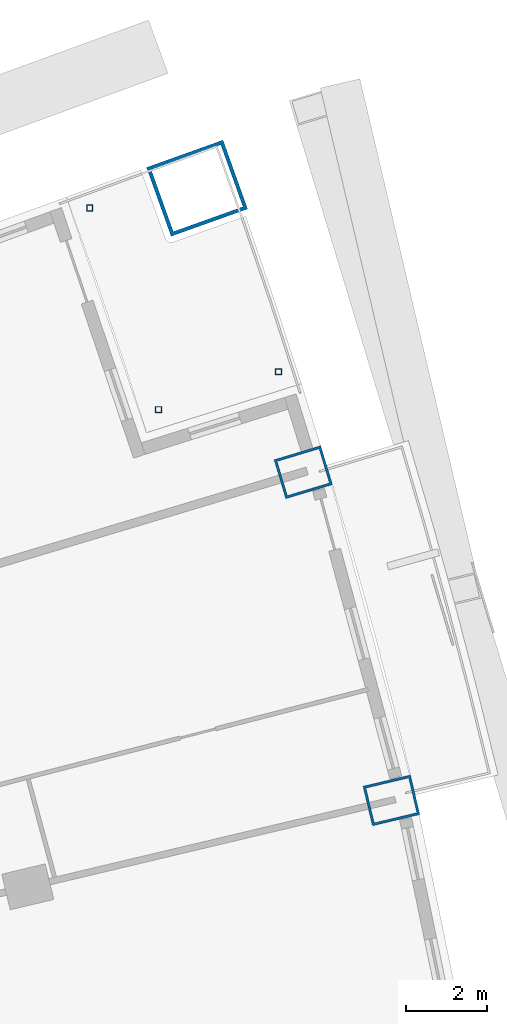
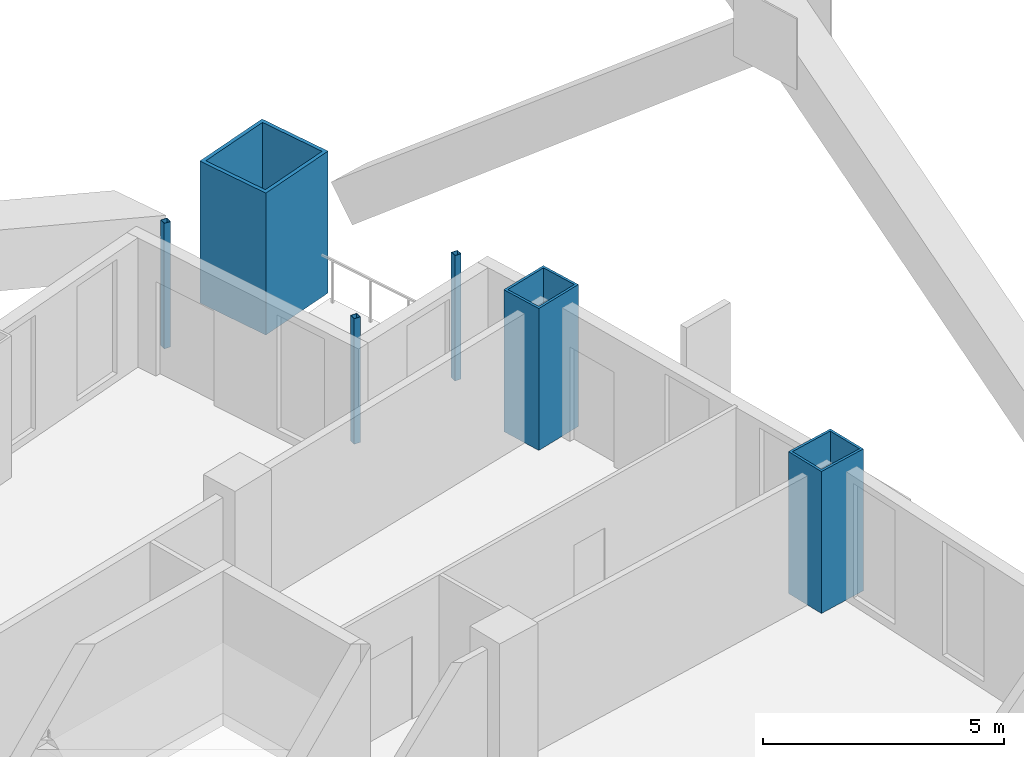
# One storey, part 11 of 25: 6 columns.
"""IFC4 building model written with IfcOpenShell, lengths in metres."""

from ifc_helpers import new_model, si_unit, direction, frame, origin, origin_2d, place, context, subcontext, project, spatial, hollow_rectangle, extrude, material, material_profile, profile_set, type_object, element, save


model = new_model("IFC4")

# Units and contexts
model_context = context("Model", 3, precision=1e-05, world=origin(), true_north=direction((0.0, 1.0)))
body_context = subcontext(model_context, "Body", "Model", "MODEL_VIEW")
ifc_project = project(units=[si_unit("LENGTHUNIT", "METRE"), si_unit("AREAUNIT", "SQUARE_METRE"), si_unit("VOLUMEUNIT", "CUBIC_METRE"), si_unit("PLANEANGLEUNIT", "RADIAN"), si_unit("MASSUNIT", "GRAM", prefix="KILO")], contexts=[model_context])

# Site, building, storey
site_placement = place(None, origin())
site = spatial("IfcSite", under=ifc_project, at=site_placement, CompositionType="ELEMENT")
building_placement = place(site_placement, origin())
building = spatial("IfcBuilding", under=site, at=building_placement, Name="Alderwake Tower", CompositionType="ELEMENT")
storey_placement = place(building_placement, frame((0.0, 0.0, 32.0)))
storey = spatial("IfcBuildingStorey", under=building, at=storey_placement, Name="L06", CompositionType="ELEMENT", Elevation=32.0)

# Columns
ifc_material_1 = material(Name="Steel ASTM A500 Grade C", Category="steel")
ifc_material_profile_1 = material_profile(ifc_material_1, hollow_rectangle(XDim=0.15234375, YDim=0.15234375, WallThickness=0.0087890625, at=origin_2d()), Name="HSS6X6X3/8")
ifc_profile_set_1 = profile_set([ifc_material_profile_1], Name="Steel ASTM A500 Grade C")
column_type_1 = type_object("IfcColumnType", Name="Light post HSS6X6X3/8", PredefinedType="COLUMN", material=ifc_profile_set_1)
for number, where, z_axis, x_axis, name in (
    (1, (56.734375, 104.70703125, 0.0), (0.0, 0.0, 1.0), (1.0, 0.0, 0.0), "Terrace post FN1"),
    (2, (52.08837890625, 108.737060546875, 0.0), (0.0, 0.0, 1.0), (1.0, 0.0, 0.0), "Terrace post FN2"),
    (3, (53.778564453125, 103.7724609375, 0.0), (0.0, 0.0, 1.0), (1.0, 0.0, 0.0), "Terrace post FN3"),
):
    element("IfcColumn", number, at=place(storey_placement, frame(where, z_axis=z_axis, x_axis=x_axis)), inside=storey, type_object=column_type_1, Name=name, PredefinedType="COLUMN", context=body_context, shape_type="SweptSolid", body=[
        extrude(hollow_rectangle(XDim=0.15234375, YDim=0.15234375, WallThickness=0.0087890625, at=origin_2d()), origin(), (0.0, 0.0, 1.0), 3.179931640625),
    ])
ifc_material_2 = material(Name="Steel ASTM A572 Grade 50 concrete filled C70/85", Category="concrete")
ifc_material_profile_2 = material_profile(ifc_material_2, hollow_rectangle(XDim=1.800048828125, YDim=2.0, WallThickness=0.090087890625, at=origin_2d()), Name="BOX 2000X1800X90")
ifc_profile_set_2 = profile_set([ifc_material_profile_2], Name="Steel ASTM A572 Grade 50 concrete filled C70/85")
column_type_2 = type_object("IfcColumnType", Name="Mega column Z1", PredefinedType="COLUMN", material=ifc_profile_set_2)
column_placement = place(storey_placement, frame((54.7294921875, 109.22412109375, 0.0), z_axis=(0.0, 0.0, 1.0), x_axis=(-0.336995022772, 0.941506428351, 0.0)))
element("IfcColumn", 4, at=column_placement, inside=storey, type_object=column_type_2, Name="Column R13-C5", PredefinedType="COLUMN", context=body_context, shape_type="SweptSolid", body=[
    extrude(hollow_rectangle(XDim=1.800048828125, YDim=2.0, WallThickness=0.090087890625, at=origin_2d()), origin(), (0.0, 0.0, 1.0), 3.60009765625),
])
ifc_material_3 = material(Name="Steel ASTM A572 Grade 50 concrete filled C70/85", Category="concrete")
ifc_material_profile_3 = material_profile(ifc_material_3, hollow_rectangle(XDim=1.0, YDim=1.199951171875, WallThickness=0.06005859375, at=origin_2d()), Name="BOX 1200X1000X60")
ifc_profile_set_3 = profile_set([ifc_material_profile_3], Name="Steel ASTM A572 Grade 50 concrete filled C70/85")
column_type_3 = type_object("IfcColumnType", Name="Perimeter column Z1", PredefinedType="COLUMN", material=ifc_profile_set_3)
for number, where, z_axis, x_axis, name in (
    (5, (59.513916015625, 94.1572265625, 0.0), (0.0, 0.0, 1.0), (-0.231221547198, 0.972901123502, 0.0), "Column R11-C5"),
    (6, (57.343505859375, 102.234619140625, 0.0), (0.0, 0.0, 1.0), (-0.287549418125, 0.957765802342, 0.0), "Column R12-C5"),
):
    element("IfcColumn", number, at=place(storey_placement, frame(where, z_axis=z_axis, x_axis=x_axis)), inside=storey, type_object=column_type_3, Name=name, PredefinedType="COLUMN", context=body_context, shape_type="SweptSolid", body=[
        extrude(hollow_rectangle(XDim=1.0, YDim=1.199951171875, WallThickness=0.06005859375, at=origin_2d()), origin(), (0.0, 0.0, 1.0), 3.60009765625),
    ])

save(model, "model.ifc")
